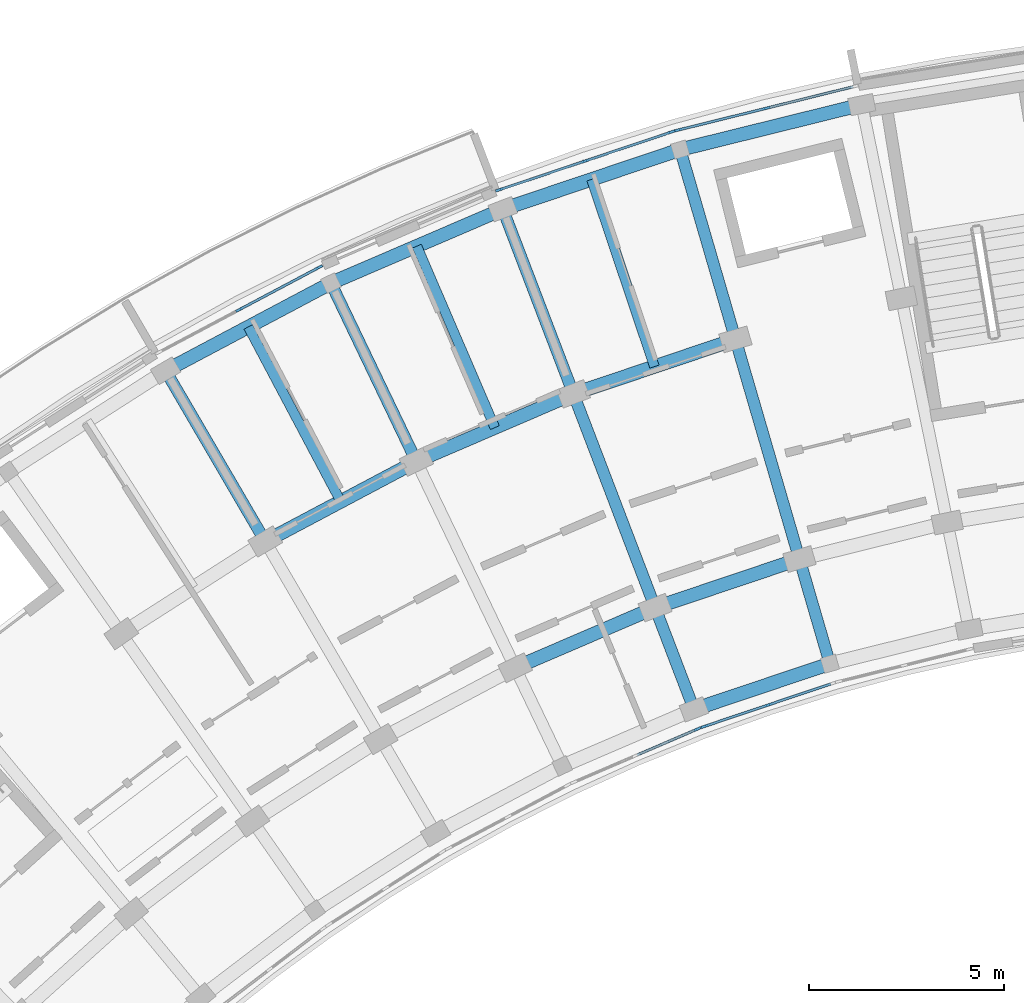
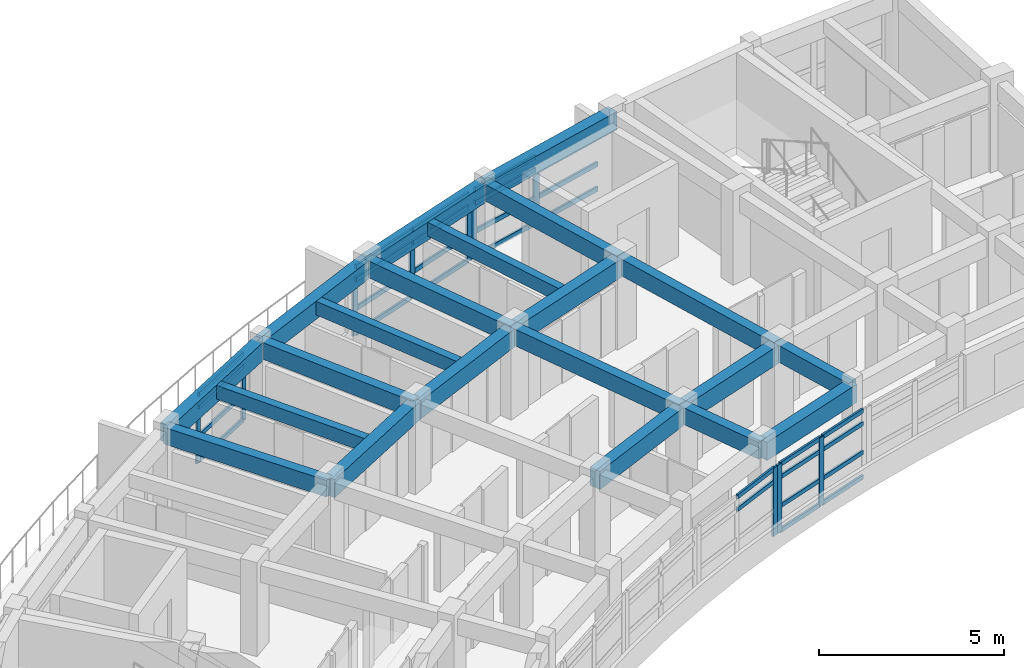
# One storey, part 11 of 40: 38 members, 21 beams, 5 elements without a shape of their own.
"""IFC4 building model written with IfcOpenShell, lengths in metres."""

from ifc_helpers import new_model, si_unit, direction, frame, origin, origin_2d, place, context, subcontext, project, spatial, rectangle, extrude, material, material_profile, profile_set, type_object, element, aggregate, save


model = new_model("IFC4")

# Units and contexts
model_context = context("Model", 3, precision=1e-05, world=origin(), true_north=direction((0.0, 1.0)))
body_context = subcontext(model_context, "Body", "Model", "MODEL_VIEW")
ifc_project = project(units=[si_unit("LENGTHUNIT", "METRE"), si_unit("AREAUNIT", "SQUARE_METRE"), si_unit("VOLUMEUNIT", "CUBIC_METRE"), si_unit("PLANEANGLEUNIT", "RADIAN"), si_unit("MASSUNIT", "GRAM", prefix="KILO")], contexts=[model_context])

# Site, building, storey
site_placement = place(None, origin())
site = spatial("IfcSite", under=ifc_project, at=site_placement, CompositionType="ELEMENT")
building_placement = place(site_placement, origin())
building = spatial("IfcBuilding", under=site, at=building_placement, Name="Zimvara Arc Housing Community", CompositionType="ELEMENT")
storey_placement = place(building_placement, frame((0.0, 0.0, 32.89990234375)))
storey = spatial("IfcBuildingStorey", under=building, at=storey_placement, Name="L10", CompositionType="ELEMENT", Elevation=32.89990234375)

# Beams
ifc_material_1 = material(Name="Concrete C40/50", Category="concrete")
ifc_material_profile_1 = material_profile(ifc_material_1, rectangle(XDim=0.25, YDim=0.449951171875, at=origin_2d()), Name="RC 250x450")
ifc_profile_set_1 = profile_set([ifc_material_profile_1], Name="Concrete C40/50")
beam_type_1 = type_object("IfcBeamType", Name="BM-RC-250x450", PredefinedType="JOIST", material=ifc_profile_set_1)
beam_1_placement = place(storey_placement, frame((19.813232421875, 91.9892578125, 2.635009765625), z_axis=(-0.46853732736, 0.883443701019, 0.0), x_axis=(-0.883443701019, -0.46853732736, 0.0)))
element("IfcBeam", 1, at=beam_1_placement, inside=storey, type_object=beam_type_1, Name="bm:blkA:L10:joist:b4", PredefinedType="JOIST", context=body_context, shape_type="SweptSolid", body=[
    extrude(rectangle(XDim=0.25, YDim=0.449951171875, at=origin_2d()), origin(), (0.0, 0.0, 1.0), 5.07568359375),
])
beam_2_placement = place(storey_placement, frame((23.77197265625, 93.885986328125, 2.635009765625), z_axis=(-0.394929109608, 0.918711596958, 0.0), x_axis=(-0.918711596958, -0.394929109608, 0.0)))
element("IfcBeam", 2, at=beam_2_placement, inside=storey, type_object=beam_type_1, Name="bm:blkA:L10:joist:b5", PredefinedType="JOIST", context=body_context, shape_type="SweptSolid", body=[
    extrude(rectangle(XDim=0.25, YDim=0.449951171875, at=origin_2d()), origin(), (0.0, 0.0, 1.0), 5.075927734375),
])
beam_3_placement = place(storey_placement, frame((27.8720703125, 95.453369140625, 2.635009765625), z_axis=(-0.318607669836, 0.947886677152, 0.0), x_axis=(-0.947886677152, -0.318607669836, 0.0)))
element("IfcBeam", 3, at=beam_3_placement, inside=storey, type_object=beam_type_1, Name="bm:blkA:L10:joist:b6", PredefinedType="JOIST", context=body_context, shape_type="SweptSolid", body=[
    extrude(rectangle(XDim=0.25, YDim=0.449951171875, at=origin_2d()), origin(), (0.0, 0.0, 1.0), 5.07568359375),
])
ifc_material_2 = material(Name="Concrete C40/50", Category="concrete")
ifc_material_profile_2 = material_profile(ifc_material_2, rectangle(XDim=0.300048828125, YDim=0.550048828125, at=origin_2d()), Name="RC 300x550")
ifc_profile_set_2 = profile_set([ifc_material_profile_2], Name="Concrete C40/50")
beam_type_2 = type_object("IfcBeamType", Name="BM-RC-300x550", PredefinedType="BEAM", material=ifc_profile_set_2)
beam_4_placement = place(storey_placement, frame((17.87255859375, 90.960205078125, 2.585205078125), z_axis=(-0.504196701544, 0.863588840915, 0.0), x_axis=(-0.863588840915, -0.504196701544, 0.0)))
element("IfcBeam", 4, at=beam_4_placement, inside=storey, type_object=beam_type_2, Name="bm:blkA:L10:rad:b4:r23", PredefinedType="BEAM", context=body_context, shape_type="SweptSolid", body=[
    extrude(rectangle(XDim=0.300048828125, YDim=0.550048828125, at=origin_2d()), origin(), (0.0, 0.0, 1.0), 5.079833984375),
])
beam_5_placement = place(storey_placement, frame((21.75390625, 93.0185546875, 2.585205078125), z_axis=(-0.432098194978, 0.901826563091, 0.0), x_axis=(-0.901826563091, -0.432098194978, 0.0)))
element("IfcBeam", 5, at=beam_5_placement, inside=storey, type_object=beam_type_2, Name="bm:blkA:L10:rad:b5:r23", PredefinedType="BEAM", context=body_context, shape_type="SweptSolid", body=[
    extrude(rectangle(XDim=0.300048828125, YDim=0.550048828125, at=origin_2d()), origin(), (0.0, 0.0, 1.0), 5.080078125),
])
beam_6_placement = place(storey_placement, frame((28.88916015625, 86.645751953125, 2.585205078125), z_axis=(-0.357079289134, 0.934074076972, 0.0), x_axis=(-0.934074076972, -0.357079289134, 0.0)))
element("IfcBeam", 6, at=beam_6_placement, inside=storey, type_object=beam_type_2, Name="bm:blkA:L10:rad:b6:r01", PredefinedType="BEAM", context=body_context, shape_type="SweptSolid", body=[
    extrude(rectangle(XDim=0.300048828125, YDim=0.550048828125, at=origin_2d()), origin(), (0.0, 0.0, 1.0), 2.7998046875),
])
beam_7_placement = place(storey_placement, frame((27.889404296875, 89.260986328125, 2.585205078125), z_axis=(-0.357036247742, 0.934090529766, 0.0), x_axis=(-0.934090529766, -0.357036247742, 0.0)))
element("IfcBeam", 7, at=beam_7_placement, inside=storey, type_object=beam_type_2, Name="bm:blkA:L10:rad:b6:r12", PredefinedType="BEAM", context=body_context, shape_type="SweptSolid", body=[
    extrude(rectangle(XDim=0.300048828125, YDim=0.550048828125, at=origin_2d()), origin(), (0.0, 0.0, 1.0), 5.8798828125),
])
beam_8_placement = place(storey_placement, frame((25.7900390625, 94.75341796875, 2.585205078125), z_axis=(-0.357078271386, 0.934074466038, 0.0), x_axis=(-0.934074466038, -0.357078271386, 0.0)))
element("IfcBeam", 8, at=beam_8_placement, inside=storey, type_object=beam_type_2, Name="bm:blkA:L10:rad:b6:r23", PredefinedType="BEAM", context=body_context, shape_type="SweptSolid", body=[
    extrude(rectangle(XDim=0.300048828125, YDim=0.550048828125, at=origin_2d()), origin(), (0.0, 0.0, 1.0), 5.080078125),
])
beam_9_placement = place(storey_placement, frame((32.381591796875, 87.819580078125, 2.585205078125), z_axis=(-0.279635015525, 0.960106378529, 0.0), x_axis=(-0.960106378529, -0.279635015525, 0.0)))
element("IfcBeam", 9, at=beam_9_placement, inside=storey, type_object=beam_type_2, Name="bm:blkA:L10:rad:b7:r01", PredefinedType="BEAM", context=body_context, shape_type="SweptSolid", body=[
    extrude(rectangle(XDim=0.300048828125, YDim=0.550048828125, at=origin_2d()), origin(), (0.0, 0.0, 1.0), 2.800048828125),
])
beam_10_placement = place(storey_placement, frame((31.5986328125, 90.5078125, 2.585205078125), z_axis=(-0.27967473749, 0.960094808449, 0.0), x_axis=(-0.960094808449, -0.27967473749, 0.0)))
element("IfcBeam", 10, at=beam_10_placement, inside=storey, type_object=beam_type_2, Name="bm:blkA:L10:rad:b7:r12", PredefinedType="BEAM", context=body_context, shape_type="SweptSolid", body=[
    extrude(rectangle(XDim=0.300048828125, YDim=0.550048828125, at=origin_2d()), origin(), (0.0, 0.0, 1.0), 5.880126953125),
])
beam_11_placement = place(storey_placement, frame((29.9541015625, 96.1533203125, 2.585205078125), z_axis=(-0.279662254096, 0.960098444762, 0.0), x_axis=(-0.960098444762, -0.279662254096, 0.0)))
element("IfcBeam", 11, at=beam_11_placement, inside=storey, type_object=beam_type_2, Name="bm:blkA:L10:rad:b7:r23", PredefinedType="BEAM", context=body_context, shape_type="SweptSolid", body=[
    extrude(rectangle(XDim=0.300048828125, YDim=0.550048828125, at=origin_2d()), origin(), (0.0, 0.0, 1.0), 5.079833984375),
])
ifc_material_3 = material(Name="Concrete C40/50", Category="concrete")
ifc_material_profile_3 = material_profile(ifc_material_3, rectangle(XDim=0.35009765625, YDim=0.60009765625, at=origin_2d()), Name="RC 350x600")
ifc_profile_set_3 = profile_set([ifc_material_profile_3], Name="Concrete C40/50")
beam_type_3 = type_object("IfcBeamType", Name="BM-RC-350x600", PredefinedType="BEAM", material=ifc_profile_set_3)
beam_12_placement = place(storey_placement, frame((28.88916015625, 86.645751953125, 2.56005859375), z_axis=(0.94789181932, 0.31859237101, 0.0), x_axis=(-0.31859237101, 0.94789181932, 0.0)))
element("IfcBeam", 12, at=beam_12_placement, inside=storey, type_object=beam_type_3, Name="bm:blkA:L10:chord:r0:b6", PredefinedType="BEAM", context=body_context, shape_type="SweptSolid", body=[
    extrude(rectangle(XDim=0.35009765625, YDim=0.60009765625, at=origin_2d()), origin(), (0.0, 0.0, 1.0), 3.684326171875),
])
for number, where, z_axis, x_axis, name in (
    (13, (24.29443359375, 87.7158203125, 2.56005859375), (0.91873144242, 0.394882940514, 0.0), (-0.394882940514, 0.91873144242, 0.0), "bm:blkA:L10:chord:r1:b5"),
    (14, (27.889404296875, 89.260986328125, 2.56005859375), (0.947881689069, 0.31862250945, 0.0), (-0.31862250945, 0.947881689069, 0.0), "bm:blkA:L10:chord:r1:b6"),
):
    element("IfcBeam", number, at=place(storey_placement, frame(where, z_axis=z_axis, x_axis=x_axis)), inside=storey, type_object=beam_type_3, Name=name, PredefinedType="BEAM", context=body_context, shape_type="SweptSolid", body=[
        extrude(rectangle(XDim=0.35009765625, YDim=0.60009765625, at=origin_2d()), origin(), (0.0, 0.0, 1.0), 3.9130859375),
    ])
for number, where, z_axis, x_axis, name in (
    (15, (17.87255859375, 90.960205078125, 2.56005859375), (0.883456526058, 0.468513144496, 0.0), (-0.468513144496, 0.883456526058, 0.0), "bm:blkA:L10:chord:r2:b4"),
    (16, (21.75390625, 93.0185546875, 2.56005859375), (0.918724840088, 0.394898301093, 0.0), (-0.394898301093, 0.918724840088, 0.0), "bm:blkA:L10:chord:r2:b5"),
):
    element("IfcBeam", number, at=place(storey_placement, frame(where, z_axis=z_axis, x_axis=x_axis)), inside=storey, type_object=beam_type_3, Name=name, PredefinedType="BEAM", context=body_context, shape_type="SweptSolid", body=[
        extrude(rectangle(XDim=0.35009765625, YDim=0.60009765625, at=origin_2d()), origin(), (0.0, 0.0, 1.0), 4.393310546875),
    ])
beam_13_placement = place(storey_placement, frame((25.7900390625, 94.75341796875, 2.56005859375), z_axis=(0.947868796036, 0.318660862832, 0.0), x_axis=(-0.318660862832, 0.947868796036, 0.0)))
element("IfcBeam", 17, at=beam_13_placement, inside=storey, type_object=beam_type_3, Name="bm:blkA:L10:chord:r2:b6", PredefinedType="BEAM", context=body_context, shape_type="SweptSolid", body=[
    extrude(rectangle(XDim=0.35009765625, YDim=0.60009765625, at=origin_2d()), origin(), (0.0, 0.0, 1.0), 4.39306640625),
])
beam_14_placement = place(storey_placement, frame((15.311279296875, 95.34716796875, 2.56005859375), z_axis=(0.883445542299, 0.468533855546, 0.0), x_axis=(-0.468533855546, 0.883445542299, 0.0)))
element("IfcBeam", 18, at=beam_14_placement, inside=storey, type_object=beam_type_3, Name="bm:blkA:L10:chord:r3:b4", PredefinedType="BEAM", context=body_context, shape_type="SweptSolid", body=[
    extrude(rectangle(XDim=0.35009765625, YDim=0.60009765625, at=origin_2d()), origin(), (0.0, 0.0, 1.0), 4.807861328125),
])
beam_15_placement = place(storey_placement, frame((19.558837890625, 97.599853515625, 2.56005859375), z_axis=(0.918724276228, 0.394899612901, 0.0), x_axis=(-0.394899612901, 0.918724276228, 0.0)))
element("IfcBeam", 19, at=beam_15_placement, inside=storey, type_object=beam_type_3, Name="bm:blkA:L10:chord:r3:b5", PredefinedType="BEAM", context=body_context, shape_type="SweptSolid", body=[
    extrude(rectangle(XDim=0.35009765625, YDim=0.60009765625, at=origin_2d()), origin(), (0.0, 0.0, 1.0), 4.80810546875),
])
beam_16_placement = place(storey_placement, frame((23.97607421875, 99.49853515625, 2.56005859375), z_axis=(0.947877948153, 0.31863363822, 0.0), x_axis=(-0.31863363822, 0.947877948153, 0.0)))
element("IfcBeam", 20, at=beam_16_placement, inside=storey, type_object=beam_type_3, Name="bm:blkA:L10:chord:r3:b6", PredefinedType="BEAM", context=body_context, shape_type="SweptSolid", body=[
    extrude(rectangle(XDim=0.35009765625, YDim=0.60009765625, at=origin_2d()), origin(), (0.0, 0.0, 1.0), 4.807861328125),
])
beam_17_placement = place(storey_placement, frame((28.533447265625, 101.030517578125, 2.56005859375), z_axis=(0.970716235341, 0.240229037474, 0.0), x_axis=(-0.240229037474, 0.970716235341, 0.0)))
element("IfcBeam", 21, at=beam_17_placement, inside=storey, type_object=beam_type_3, Name="bm:blkA:L10:chord:r3:b7", PredefinedType="BEAM", context=body_context, shape_type="SweptSolid", body=[
    extrude(rectangle(XDim=0.35009765625, YDim=0.60009765625, at=origin_2d()), origin(), (0.0, 0.0, 1.0), 4.80810546875),
])

# Curtain wall, members
ifc_material_4 = material(Name="Anodised Aluminium AW-6063", Category="aluminium")
curtain_wall_type_1 = type_object("IfcCurtainWallType", Name="CW-SYS-06", PredefinedType="USERDEFINED", material=ifc_material_4)
curtain_wall_1_placement = place(storey_placement, origin())
curtain_wall_1 = element("IfcCurtainWall", 22, at=curtain_wall_1_placement, inside=storey, type_object=curtain_wall_type_1, Name="cw:blkA:L10:out:b4", ObjectType="CURTAIN WALL", PredefinedType="USERDEFINED")
ifc_material_5 = material(Name="Anodised Aluminium AW-6063", Category="aluminium")
ifc_material_profile_4 = material_profile(ifc_material_5, rectangle(XDim=0.06494140625, YDim=0.179931640625, at=origin_2d()), Name="ALU 65x180")
ifc_profile_set_4 = profile_set([ifc_material_profile_4], Name="Anodised Aluminium AW-6063")
member_type_1 = type_object("IfcMemberType", Name="CWM-65x150", PredefinedType="MULLION", material=ifc_profile_set_4)
member_1_placement = place(storey_placement, frame((17.200927734375, 96.914794921875, 0.0), z_axis=(0.0, 0.0, 1.0), x_axis=(-0.468546917761, 0.883438614651, 0.0)))
member_1 = element("IfcMember", 23, at=member_1_placement, type_object=member_type_1, Name="CW06 mullion 2", PredefinedType="MULLION", context=body_context, shape_type="SweptSolid", body=[
    extrude(rectangle(XDim=0.06494140625, YDim=0.179931640625, at=origin_2d()), origin(), (0.0, 0.0, 1.0), 2.25),
])
member_2_placement = place(storey_placement, frame((19.260986328125, 98.007568359375, 0.0), z_axis=(0.0, 0.0, 1.0), x_axis=(-0.468546917761, 0.883438614651, 0.0)))
member_2 = element("IfcMember", 24, at=member_2_placement, type_object=member_type_1, Name="CW06 mullion 3", PredefinedType="MULLION", context=body_context, shape_type="SweptSolid", body=[
    extrude(rectangle(XDim=0.06494140625, YDim=0.179931640625, at=origin_2d()), origin(), (0.0, 0.0, 1.0), 2.25),
])

# Curtain wall, member
ifc_material_6 = material(Name="Anodised Aluminium AW-6063", Category="aluminium")
curtain_wall_type_2 = type_object("IfcCurtainWallType", Name="CW-SYS-08", PredefinedType="USERDEFINED", material=ifc_material_6)
curtain_wall_2_placement = place(storey_placement, origin())
curtain_wall_2 = element("IfcCurtainWall", 25, at=curtain_wall_2_placement, inside=storey, type_object=curtain_wall_type_2, Name="cw:blkA:L10:in:b5", ObjectType="CURTAIN WALL", PredefinedType="USERDEFINED")
member_3_placement = place(storey_placement, frame((28.98291015625, 86.14208984375, 0.0), z_axis=(0.0, 0.0, 1.0), x_axis=(-0.394904493375, 0.918722178415, 0.0)))
member_3 = element("IfcMember", 26, at=member_3_placement, type_object=member_type_1, Name="CW08 mullion 3", PredefinedType="MULLION", context=body_context, shape_type="SweptSolid", body=[
    extrude(rectangle(XDim=0.06494140625, YDim=0.179931640625, at=origin_2d()), origin(), (0.0, 0.0, 1.0), 2.25),
])

# Curtain wall, members
ifc_material_7 = material(Name="Anodised Aluminium AW-6063", Category="aluminium")
curtain_wall_type_3 = type_object("IfcCurtainWallType", Name="CW-SYS-02", PredefinedType="USERDEFINED", material=ifc_material_7)
curtain_wall_3_placement = place(storey_placement, origin())
curtain_wall_3 = element("IfcCurtainWall", 27, at=curtain_wall_3_placement, inside=storey, type_object=curtain_wall_type_3, Name="cw:blkA:L10:in:b6", ObjectType="CURTAIN WALL", PredefinedType="USERDEFINED")
member_4_placement = place(storey_placement, frame((29.155517578125, 86.2080078125, 0.0), z_axis=(0.0, 0.0, 1.0), x_axis=(-0.318630249383, 0.94787908732, 0.0)))
member_4 = element("IfcMember", 28, at=member_4_placement, type_object=member_type_1, Name="CW02 mullion 1", PredefinedType="MULLION", context=body_context, shape_type="SweptSolid", body=[
    extrude(rectangle(XDim=0.06494140625, YDim=0.179931640625, at=origin_2d()), origin(), (0.0, 0.0, 1.0), 2.25),
])
member_5_placement = place(storey_placement, frame((30.794677734375, 86.759033203125, 0.0), z_axis=(0.0, 0.0, 1.0), x_axis=(-0.318630249383, 0.94787908732, 0.0)))
member_5 = element("IfcMember", 29, at=member_5_placement, type_object=member_type_1, Name="CW02 mullion 2", PredefinedType="MULLION", context=body_context, shape_type="SweptSolid", body=[
    extrude(rectangle(XDim=0.06494140625, YDim=0.179931640625, at=origin_2d()), origin(), (0.0, 0.0, 1.0), 2.25),
])

ifc_material_8 = material(Name="Anodised Aluminium AW-6063", Category="aluminium")
curtain_wall_type_4 = type_object("IfcCurtainWallType", Name="CW-SYS-01", PredefinedType="USERDEFINED", material=ifc_material_8)
curtain_wall_4_placement = place(storey_placement, origin())
curtain_wall_4 = element("IfcCurtainWall", 30, at=curtain_wall_4_placement, inside=storey, type_object=curtain_wall_type_4, Name="cw:blkA:L10:out:b6", ObjectType="CURTAIN WALL", PredefinedType="USERDEFINED")
ifc_material_9 = material(Name="Anodised Aluminium AW-6063", Category="aluminium")
ifc_material_profile_5 = material_profile(ifc_material_9, rectangle(XDim=0.06494140625, YDim=0.195068359375, at=origin_2d()), Name="ALU 65x195")
ifc_profile_set_5 = profile_set([ifc_material_profile_5], Name="Anodised Aluminium AW-6063")
member_type_2 = type_object("IfcMemberType", Name="CWM-65x180", PredefinedType="MULLION", material=ifc_profile_set_5)
member_6_placement = place(storey_placement, frame((23.88525390625, 99.9951171875, 0.0), z_axis=(0.0, 0.0, 1.0), x_axis=(-0.318628583921, 0.947879647164, 0.0)))
member_6 = element("IfcMember", 31, at=member_6_placement, type_object=member_type_2, Name="CW01 mullion 1", PredefinedType="MULLION", context=body_context, shape_type="SweptSolid", body=[
    extrude(rectangle(XDim=0.06494140625, YDim=0.195068359375, at=origin_2d()), origin(), (0.0, 0.0, 1.0), 2.25),
])
member_7_placement = place(storey_placement, frame((26.095703125, 100.73828125, 0.0), z_axis=(0.0, 0.0, 1.0), x_axis=(-0.318628583921, 0.947879647164, 0.0)))
member_7 = element("IfcMember", 32, at=member_7_placement, type_object=member_type_2, Name="CW01 mullion 2", PredefinedType="MULLION", context=body_context, shape_type="SweptSolid", body=[
    extrude(rectangle(XDim=0.06494140625, YDim=0.195068359375, at=origin_2d()), origin(), (0.0, 0.0, 1.0), 2.25),
])
member_8_placement = place(storey_placement, frame((28.305908203125, 101.481201171875, 0.0), z_axis=(0.0, 0.0, 1.0), x_axis=(-0.318628583921, 0.947879647164, 0.0)))
member_8 = element("IfcMember", 33, at=member_8_placement, type_object=member_type_2, Name="CW01 mullion 3", PredefinedType="MULLION", context=body_context, shape_type="SweptSolid", body=[
    extrude(rectangle(XDim=0.06494140625, YDim=0.195068359375, at=origin_2d()), origin(), (0.0, 0.0, 1.0), 2.25),
])

ifc_material_10 = material(Name="Anodised Aluminium AW-6063", Category="aluminium")
curtain_wall_type_5 = type_object("IfcCurtainWallType", Name="CW-SYS-03", PredefinedType="USERDEFINED", material=ifc_material_10)
curtain_wall_5_placement = place(storey_placement, origin())
curtain_wall_5 = element("IfcCurtainWall", 34, at=curtain_wall_5_placement, inside=storey, type_object=curtain_wall_type_5, Name="cw:blkA:L10:out:b7", ObjectType="CURTAIN WALL", PredefinedType="USERDEFINED")
member_9_placement = place(storey_placement, frame((28.4833984375, 101.532958984375, 0.0), z_axis=(0.0, 0.0, 1.0), x_axis=(-0.240229711131, 0.970716068627, 0.0)))
member_9 = element("IfcMember", 35, at=member_9_placement, type_object=member_type_2, Name="CW03 mullion 1", PredefinedType="MULLION", context=body_context, shape_type="SweptSolid", body=[
    extrude(rectangle(XDim=0.06494140625, YDim=0.195068359375, at=origin_2d()), origin(), (0.0, 0.0, 1.0), 2.25),
])
member_10_placement = place(storey_placement, frame((30.7470703125, 102.093017578125, 0.0), z_axis=(0.0, 0.0, 1.0), x_axis=(-0.240229711131, 0.970716068627, 0.0)))
member_10 = element("IfcMember", 36, at=member_10_placement, type_object=member_type_2, Name="CW03 mullion 2", PredefinedType="MULLION", context=body_context, shape_type="SweptSolid", body=[
    extrude(rectangle(XDim=0.06494140625, YDim=0.195068359375, at=origin_2d()), origin(), (0.0, 0.0, 1.0), 2.25),
])

# Member
ifc_material_11 = material(Name="Anodised Aluminium AW-6063", Category="aluminium")
ifc_material_profile_6 = material_profile(ifc_material_11, rectangle(XDim=0.06494140625, YDim=0.139892578125, at=origin_2d()), Name="ALU 65x140")
ifc_profile_set_6 = profile_set([ifc_material_profile_6], Name="Anodised Aluminium AW-6063")
member_type_3 = type_object("IfcMemberType", Name="CWT-65x120", PredefinedType="USERDEFINED", material=ifc_profile_set_6)
member_11_placement = place(storey_placement, frame((17.2294921875, 96.93017578125, 0.03271484375), z_axis=(0.883489114766, 0.468451688107, 0.0), x_axis=(-0.468451688107, 0.883489114766, 0.0)))
member_11 = element("IfcMember", 37, at=member_11_placement, type_object=member_type_3, Name="CW06 transom 2.1", ObjectType="TRANSOM", PredefinedType="USERDEFINED", context=body_context, shape_type="SweptSolid", body=[
    extrude(rectangle(XDim=0.06494140625, YDim=0.139892578125, at=origin_2d()), origin(), (0.0, 0.0, 1.0), 2.26708984375),
])

member_12_placement = place(storey_placement, frame((17.2294921875, 96.93017578125, 0.85009765625), z_axis=(0.883489114766, 0.468451688107, 0.0), x_axis=(-0.468451688107, 0.883489114766, 0.0)))
member_12 = element("IfcMember", 38, at=member_12_placement, type_object=member_type_3, Name="CW06 transom 2.2", ObjectType="TRANSOM", PredefinedType="USERDEFINED", context=body_context, shape_type="SweptSolid", body=[
    extrude(rectangle(XDim=0.06494140625, YDim=0.139892578125, at=origin_2d()), origin(), (0.0, 0.0, 1.0), 2.26708984375),
])

member_13_placement = place(storey_placement, frame((17.2294921875, 96.93017578125, 1.800048828125), z_axis=(0.883489114766, 0.468451688107, 0.0), x_axis=(-0.468451688107, 0.883489114766, 0.0)))
member_13 = element("IfcMember", 39, at=member_13_placement, type_object=member_type_3, Name="CW06 transom 2.3", ObjectType="TRANSOM", PredefinedType="USERDEFINED", context=body_context, shape_type="SweptSolid", body=[
    extrude(rectangle(XDim=0.06494140625, YDim=0.139892578125, at=origin_2d()), origin(), (0.0, 0.0, 1.0), 2.26708984375),
])

member_14_placement = place(storey_placement, frame((17.2294921875, 96.93017578125, 2.217529296875), z_axis=(0.883489114766, 0.468451688107, 0.0), x_axis=(-0.468451688107, 0.883489114766, 0.0)))
member_14 = element("IfcMember", 40, at=member_14_placement, type_object=member_type_3, Name="CW06 transom 2.4", ObjectType="TRANSOM", PredefinedType="USERDEFINED", context=body_context, shape_type="SweptSolid", body=[
    extrude(rectangle(XDim=0.06494140625, YDim=0.139892578125, at=origin_2d()), origin(), (0.0, 0.0, 1.0), 2.26708984375),
])

aggregate(curtain_wall_1, [member_1, member_2, member_11, member_12, member_13, member_14])

member_15_placement = place(storey_placement, frame((27.423828125, 85.471923828125, 1.800048828125), z_axis=(0.918673978315, 0.395016609229, 0.0), x_axis=(-0.395016609229, 0.918673978315, 0.0)))
member_15 = element("IfcMember", 41, at=member_15_placement, type_object=member_type_3, Name="CW08 transom 2.3", ObjectType="TRANSOM", PredefinedType="USERDEFINED", context=body_context, shape_type="SweptSolid", body=[
    extrude(rectangle(XDim=0.06494140625, YDim=0.139892578125, at=origin_2d()), origin(), (0.0, 0.0, 1.0), 1.664306640625),
])

member_16_placement = place(storey_placement, frame((27.423828125, 85.471923828125, 2.217529296875), z_axis=(0.918673978315, 0.395016609229, 0.0), x_axis=(-0.395016609229, 0.918673978315, 0.0)))
member_16 = element("IfcMember", 42, at=member_16_placement, type_object=member_type_3, Name="CW08 transom 2.4", ObjectType="TRANSOM", PredefinedType="USERDEFINED", context=body_context, shape_type="SweptSolid", body=[
    extrude(rectangle(XDim=0.06494140625, YDim=0.139892578125, at=origin_2d()), origin(), (0.0, 0.0, 1.0), 1.664306640625),
])

aggregate(curtain_wall_2, [member_3, member_15, member_16])

member_17_placement = place(storey_placement, frame((29.186279296875, 86.218505859375, 0.03271484375), z_axis=(0.947888214723, 0.318603095385, 0.0), x_axis=(-0.318603095385, 0.947888214723, 0.0)))
member_17 = element("IfcMember", 43, at=member_17_placement, type_object=member_type_3, Name="CW02 transom 1.1", ObjectType="TRANSOM", PredefinedType="USERDEFINED", context=body_context, shape_type="SweptSolid", body=[
    extrude(rectangle(XDim=0.06494140625, YDim=0.139892578125, at=origin_2d()), origin(), (0.0, 0.0, 1.0), 1.664306640625),
])

member_18_placement = place(storey_placement, frame((29.186279296875, 86.218505859375, 0.85009765625), z_axis=(0.947888214723, 0.318603095385, 0.0), x_axis=(-0.318603095385, 0.947888214723, 0.0)))
member_18 = element("IfcMember", 44, at=member_18_placement, type_object=member_type_3, Name="CW02 transom 1.2", ObjectType="TRANSOM", PredefinedType="USERDEFINED", context=body_context, shape_type="SweptSolid", body=[
    extrude(rectangle(XDim=0.06494140625, YDim=0.139892578125, at=origin_2d()), origin(), (0.0, 0.0, 1.0), 1.664306640625),
])

member_19_placement = place(storey_placement, frame((29.186279296875, 86.218505859375, 1.800048828125), z_axis=(0.947888214723, 0.318603095385, 0.0), x_axis=(-0.318603095385, 0.947888214723, 0.0)))
member_19 = element("IfcMember", 45, at=member_19_placement, type_object=member_type_3, Name="CW02 transom 1.3", ObjectType="TRANSOM", PredefinedType="USERDEFINED", context=body_context, shape_type="SweptSolid", body=[
    extrude(rectangle(XDim=0.06494140625, YDim=0.139892578125, at=origin_2d()), origin(), (0.0, 0.0, 1.0), 1.664306640625),
])

member_20_placement = place(storey_placement, frame((29.186279296875, 86.218505859375, 2.217529296875), z_axis=(0.947888214723, 0.318603095385, 0.0), x_axis=(-0.318603095385, 0.947888214723, 0.0)))
member_20 = element("IfcMember", 46, at=member_20_placement, type_object=member_type_3, Name="CW02 transom 1.4", ObjectType="TRANSOM", PredefinedType="USERDEFINED", context=body_context, shape_type="SweptSolid", body=[
    extrude(rectangle(XDim=0.06494140625, YDim=0.139892578125, at=origin_2d()), origin(), (0.0, 0.0, 1.0), 1.664306640625),
])

member_21_placement = place(storey_placement, frame((30.825439453125, 86.76953125, 0.03271484375), z_axis=(0.947888214723, 0.318603095385, 0.0), x_axis=(-0.318603095385, 0.947888214723, 0.0)))
member_21 = element("IfcMember", 47, at=member_21_placement, type_object=member_type_3, Name="CW02 transom 2.1", ObjectType="TRANSOM", PredefinedType="USERDEFINED", context=body_context, shape_type="SweptSolid", body=[
    extrude(rectangle(XDim=0.06494140625, YDim=0.139892578125, at=origin_2d()), origin(), (0.0, 0.0, 1.0), 1.664306640625),
])

member_22_placement = place(storey_placement, frame((30.825439453125, 86.76953125, 0.85009765625), z_axis=(0.947888214723, 0.318603095385, 0.0), x_axis=(-0.318603095385, 0.947888214723, 0.0)))
member_22 = element("IfcMember", 48, at=member_22_placement, type_object=member_type_3, Name="CW02 transom 2.2", ObjectType="TRANSOM", PredefinedType="USERDEFINED", context=body_context, shape_type="SweptSolid", body=[
    extrude(rectangle(XDim=0.06494140625, YDim=0.139892578125, at=origin_2d()), origin(), (0.0, 0.0, 1.0), 1.664306640625),
])

member_23_placement = place(storey_placement, frame((30.825439453125, 86.76953125, 1.800048828125), z_axis=(0.947888214723, 0.318603095385, 0.0), x_axis=(-0.318603095385, 0.947888214723, 0.0)))
member_23 = element("IfcMember", 49, at=member_23_placement, type_object=member_type_3, Name="CW02 transom 2.3", ObjectType="TRANSOM", PredefinedType="USERDEFINED", context=body_context, shape_type="SweptSolid", body=[
    extrude(rectangle(XDim=0.06494140625, YDim=0.139892578125, at=origin_2d()), origin(), (0.0, 0.0, 1.0), 1.664306640625),
])

member_24_placement = place(storey_placement, frame((30.825439453125, 86.76953125, 2.217529296875), z_axis=(0.947888214723, 0.318603095385, 0.0), x_axis=(-0.318603095385, 0.947888214723, 0.0)))
member_24 = element("IfcMember", 50, at=member_24_placement, type_object=member_type_3, Name="CW02 transom 2.4", ObjectType="TRANSOM", PredefinedType="USERDEFINED", context=body_context, shape_type="SweptSolid", body=[
    extrude(rectangle(XDim=0.06494140625, YDim=0.139892578125, at=origin_2d()), origin(), (0.0, 0.0, 1.0), 1.664306640625),
])

aggregate(curtain_wall_3, [member_4, member_5, member_17, member_18, member_19, member_20, member_21, member_22, member_23, member_24])

ifc_material_12 = material(Name="Anodised Aluminium AW-6063", Category="aluminium")
ifc_material_profile_7 = material_profile(ifc_material_12, rectangle(XDim=0.06494140625, YDim=0.155029296875, at=origin_2d()), Name="ALU 65x155")
ifc_profile_set_7 = profile_set([ifc_material_profile_7], Name="Anodised Aluminium AW-6063")
member_type_4 = type_object("IfcMemberType", Name="CWT-65x140", PredefinedType="USERDEFINED", material=ifc_profile_set_7)
member_25_placement = place(storey_placement, frame((23.916015625, 100.00537109375, 0.03271484375), z_axis=(0.947861605379, 0.318682250916, 0.0), x_axis=(-0.318682250916, 0.947861605379, 0.0)))
member_25 = element("IfcMember", 51, at=member_25_placement, type_object=member_type_4, Name="CW01 transom 1.1", ObjectType="TRANSOM", PredefinedType="USERDEFINED", context=body_context, shape_type="SweptSolid", body=[
    extrude(rectangle(XDim=0.06494140625, YDim=0.155029296875, at=origin_2d()), origin(), (0.0, 0.0, 1.0), 2.266845703125),
])

member_26_placement = place(storey_placement, frame((23.916015625, 100.00537109375, 0.85009765625), z_axis=(0.947861605379, 0.318682250916, 0.0), x_axis=(-0.318682250916, 0.947861605379, 0.0)))
member_26 = element("IfcMember", 52, at=member_26_placement, type_object=member_type_4, Name="CW01 transom 1.2", ObjectType="TRANSOM", PredefinedType="USERDEFINED", context=body_context, shape_type="SweptSolid", body=[
    extrude(rectangle(XDim=0.06494140625, YDim=0.155029296875, at=origin_2d()), origin(), (0.0, 0.0, 1.0), 2.266845703125),
])

member_27_placement = place(storey_placement, frame((23.916015625, 100.00537109375, 1.800048828125), z_axis=(0.947861605379, 0.318682250916, 0.0), x_axis=(-0.318682250916, 0.947861605379, 0.0)))
member_27 = element("IfcMember", 53, at=member_27_placement, type_object=member_type_4, Name="CW01 transom 1.3", ObjectType="TRANSOM", PredefinedType="USERDEFINED", context=body_context, shape_type="SweptSolid", body=[
    extrude(rectangle(XDim=0.06494140625, YDim=0.155029296875, at=origin_2d()), origin(), (0.0, 0.0, 1.0), 2.266845703125),
])

member_28_placement = place(storey_placement, frame((23.916015625, 100.00537109375, 2.217529296875), z_axis=(0.947861605379, 0.318682250916, 0.0), x_axis=(-0.318682250916, 0.947861605379, 0.0)))
member_28 = element("IfcMember", 54, at=member_28_placement, type_object=member_type_4, Name="CW01 transom 1.4", ObjectType="TRANSOM", PredefinedType="USERDEFINED", context=body_context, shape_type="SweptSolid", body=[
    extrude(rectangle(XDim=0.06494140625, YDim=0.155029296875, at=origin_2d()), origin(), (0.0, 0.0, 1.0), 2.266845703125),
])

member_29_placement = place(storey_placement, frame((26.12646484375, 100.74853515625, 0.03271484375), z_axis=(0.947861605379, 0.318682250916, 0.0), x_axis=(-0.318682250916, 0.947861605379, 0.0)))
member_29 = element("IfcMember", 55, at=member_29_placement, type_object=member_type_4, Name="CW01 transom 2.1", ObjectType="TRANSOM", PredefinedType="USERDEFINED", context=body_context, shape_type="SweptSolid", body=[
    extrude(rectangle(XDim=0.06494140625, YDim=0.155029296875, at=origin_2d()), origin(), (0.0, 0.0, 1.0), 2.266845703125),
])

member_30_placement = place(storey_placement, frame((26.12646484375, 100.74853515625, 0.85009765625), z_axis=(0.947861605379, 0.318682250916, 0.0), x_axis=(-0.318682250916, 0.947861605379, 0.0)))
member_30 = element("IfcMember", 56, at=member_30_placement, type_object=member_type_4, Name="CW01 transom 2.2", ObjectType="TRANSOM", PredefinedType="USERDEFINED", context=body_context, shape_type="SweptSolid", body=[
    extrude(rectangle(XDim=0.06494140625, YDim=0.155029296875, at=origin_2d()), origin(), (0.0, 0.0, 1.0), 2.266845703125),
])

member_31_placement = place(storey_placement, frame((26.12646484375, 100.74853515625, 1.800048828125), z_axis=(0.947861605379, 0.318682250916, 0.0), x_axis=(-0.318682250916, 0.947861605379, 0.0)))
member_31 = element("IfcMember", 57, at=member_31_placement, type_object=member_type_4, Name="CW01 transom 2.3", ObjectType="TRANSOM", PredefinedType="USERDEFINED", context=body_context, shape_type="SweptSolid", body=[
    extrude(rectangle(XDim=0.06494140625, YDim=0.155029296875, at=origin_2d()), origin(), (0.0, 0.0, 1.0), 2.266845703125),
])

member_32_placement = place(storey_placement, frame((26.12646484375, 100.74853515625, 2.217529296875), z_axis=(0.947861605379, 0.318682250916, 0.0), x_axis=(-0.318682250916, 0.947861605379, 0.0)))
member_32 = element("IfcMember", 58, at=member_32_placement, type_object=member_type_4, Name="CW01 transom 2.4", ObjectType="TRANSOM", PredefinedType="USERDEFINED", context=body_context, shape_type="SweptSolid", body=[
    extrude(rectangle(XDim=0.06494140625, YDim=0.155029296875, at=origin_2d()), origin(), (0.0, 0.0, 1.0), 2.266845703125),
])

aggregate(curtain_wall_4, [member_6, member_7, member_8, member_25, member_26, member_27, member_28, member_29, member_30, member_31, member_32])

member_33_placement = place(storey_placement, frame((28.51513671875, 101.540771484375, 0.03271484375), z_axis=(0.970728837212, 0.240178110172, 0.0), x_axis=(-0.240178110172, 0.970728837212, 0.0)))
member_33 = element("IfcMember", 59, at=member_33_placement, type_object=member_type_4, Name="CW03 transom 1.1", ObjectType="TRANSOM", PredefinedType="USERDEFINED", context=body_context, shape_type="SweptSolid", body=[
    extrude(rectangle(XDim=0.06494140625, YDim=0.155029296875, at=origin_2d()), origin(), (0.0, 0.0, 1.0), 2.266845703125),
])

member_34_placement = place(storey_placement, frame((28.51513671875, 101.540771484375, 0.85009765625), z_axis=(0.970728837212, 0.240178110172, 0.0), x_axis=(-0.240178110172, 0.970728837212, 0.0)))
member_34 = element("IfcMember", 60, at=member_34_placement, type_object=member_type_4, Name="CW03 transom 1.2", ObjectType="TRANSOM", PredefinedType="USERDEFINED", context=body_context, shape_type="SweptSolid", body=[
    extrude(rectangle(XDim=0.06494140625, YDim=0.155029296875, at=origin_2d()), origin(), (0.0, 0.0, 1.0), 2.266845703125),
])

member_35_placement = place(storey_placement, frame((28.51513671875, 101.540771484375, 1.800048828125), z_axis=(0.970728837212, 0.240178110172, 0.0), x_axis=(-0.240178110172, 0.970728837212, 0.0)))
member_35 = element("IfcMember", 61, at=member_35_placement, type_object=member_type_4, Name="CW03 transom 1.3", ObjectType="TRANSOM", PredefinedType="USERDEFINED", context=body_context, shape_type="SweptSolid", body=[
    extrude(rectangle(XDim=0.06494140625, YDim=0.155029296875, at=origin_2d()), origin(), (0.0, 0.0, 1.0), 2.266845703125),
])

member_36_placement = place(storey_placement, frame((28.51513671875, 101.540771484375, 2.217529296875), z_axis=(0.970728837212, 0.240178110172, 0.0), x_axis=(-0.240178110172, 0.970728837212, 0.0)))
member_36 = element("IfcMember", 62, at=member_36_placement, type_object=member_type_4, Name="CW03 transom 1.4", ObjectType="TRANSOM", PredefinedType="USERDEFINED", context=body_context, shape_type="SweptSolid", body=[
    extrude(rectangle(XDim=0.06494140625, YDim=0.155029296875, at=origin_2d()), origin(), (0.0, 0.0, 1.0), 2.266845703125),
])

member_37_placement = place(storey_placement, frame((30.77880859375, 102.100830078125, 0.03271484375), z_axis=(0.970703721793, 0.240279596507, 0.0), x_axis=(-0.240279596507, 0.970703721793, 0.0)))
member_37 = element("IfcMember", 63, at=member_37_placement, type_object=member_type_4, Name="CW03 transom 2.1", ObjectType="TRANSOM", PredefinedType="USERDEFINED", context=body_context, shape_type="SweptSolid", body=[
    extrude(rectangle(XDim=0.06494140625, YDim=0.155029296875, at=origin_2d()), origin(), (0.0, 0.0, 1.0), 2.266845703125),
])

member_38_placement = place(storey_placement, frame((30.77880859375, 102.100830078125, 0.85009765625), z_axis=(0.970703721793, 0.240279596507, 0.0), x_axis=(-0.240279596507, 0.970703721793, 0.0)))
member_38 = element("IfcMember", 64, at=member_38_placement, type_object=member_type_4, Name="CW03 transom 2.2", ObjectType="TRANSOM", PredefinedType="USERDEFINED", context=body_context, shape_type="SweptSolid", body=[
    extrude(rectangle(XDim=0.06494140625, YDim=0.155029296875, at=origin_2d()), origin(), (0.0, 0.0, 1.0), 2.266845703125),
])

aggregate(curtain_wall_5, [member_9, member_10, member_33, member_34, member_35, member_36, member_37, member_38])

save(model, "model.ifc")
